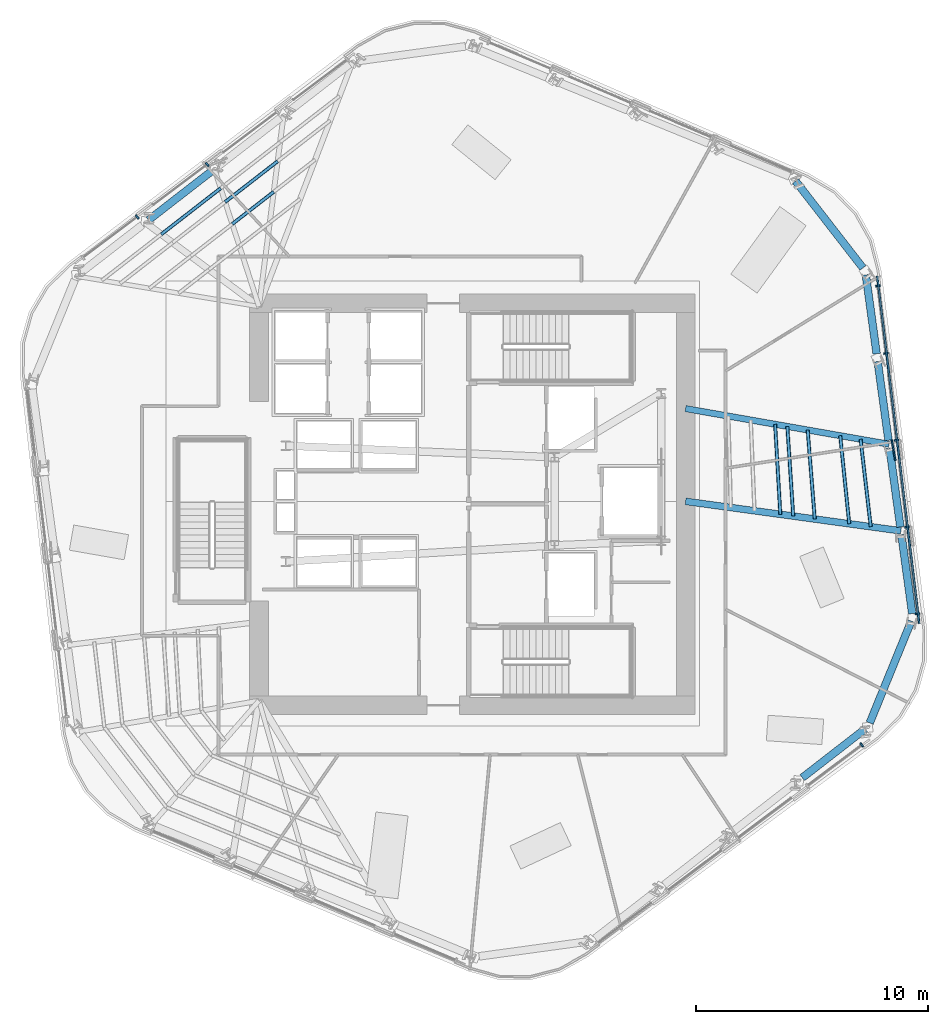
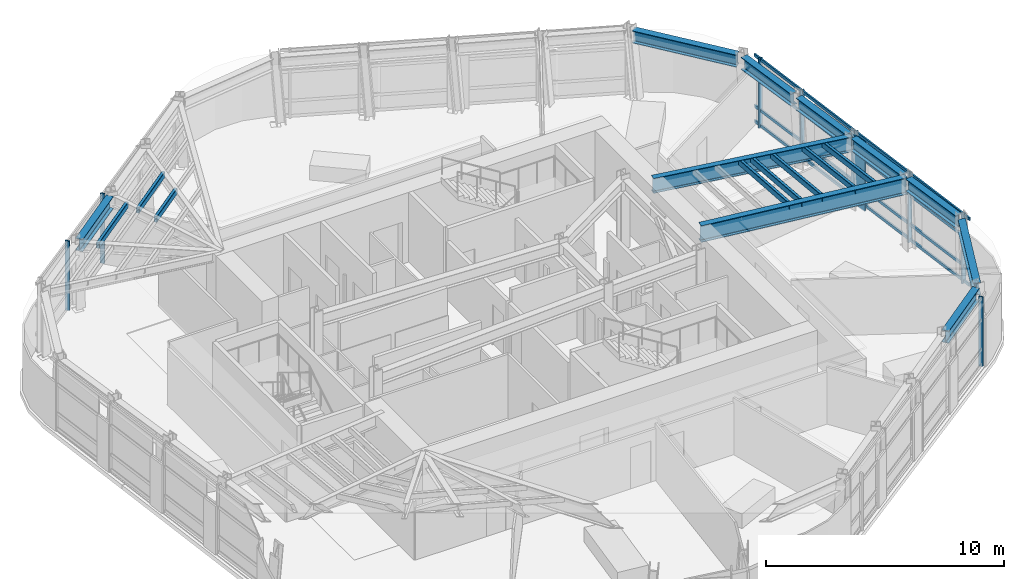
# One storey, part 5 of 14: 21 members, 10 beams, 3 elements without a shape of their own.
"""IFC4 building model written with IfcOpenShell, lengths in metres."""

from ifc_helpers import new_model, si_unit, direction, frame, origin, origin_2d, place, context, subcontext, project, spatial, rectangle, hollow_rectangle, i_section, extrude, material, layer, layer_set, material_profile, profile_set, type_object, element, aggregate, save


model = new_model("IFC4")

# Units and contexts
model_context = context("Model", 3, precision=1e-05, world=origin(), true_north=direction((0.0, 1.0)))
body_context = subcontext(model_context, "Body", "Model", "MODEL_VIEW")
ifc_project = project(units=[si_unit("LENGTHUNIT", "METRE"), si_unit("AREAUNIT", "SQUARE_METRE"), si_unit("VOLUMEUNIT", "CUBIC_METRE"), si_unit("PLANEANGLEUNIT", "RADIAN"), si_unit("MASSUNIT", "GRAM", prefix="KILO")], contexts=[model_context])

# Site, building, storey
site_placement = place(None, origin())
site = spatial("IfcSite", under=ifc_project, at=site_placement, CompositionType="ELEMENT")
building_placement = place(site_placement, origin())
building = spatial("IfcBuilding", under=site, at=building_placement, Name="Valkerne Bourse Tower", CompositionType="ELEMENT")
storey_placement = place(building_placement, frame((0.0, 0.0, 181.800048828125)))
storey = spatial("IfcBuildingStorey", under=building, at=storey_placement, Name="L46", CompositionType="ELEMENT", Elevation=181.800048828125)

# Beams
ifc_material_1 = material(Name="Steel ASTM A992", Category="steel")
ifc_material_profile_1 = material_profile(ifc_material_1, i_section(OverallWidth=0.32763671875, OverallDepth=0.62744140625, WebThickness=0.0166015625, FlangeThickness=0.027587890625, FilletRadius=0.020263671875, at=origin_2d()), Name="W24X146")
ifc_profile_set_1 = profile_set([ifc_material_profile_1], Name="Steel ASTM A992")
beam_type_1 = type_object("IfcBeamType", Name="BM-W24X146", PredefinedType="SPANDREL", material=ifc_profile_set_1)
beam_1_placement = place(storey_placement, frame((35.545654296875, 41.231689453125, 3.266357421875), z_axis=(-0.790186748156, -0.612866137944, 0.0), x_axis=(0.612866137944, -0.790186748156, 0.0)))
element("IfcBeam", 1, at=beam_1_placement, inside=storey, type_object=beam_type_1, Name="L46 Hexagonal Spandrel Ring Beam 07", PredefinedType="SPANDREL", context=body_context, shape_type="SweptSolid", body=[
    extrude(i_section(OverallWidth=0.32763671875, OverallDepth=0.62744140625, WebThickness=0.0166015625, FlangeThickness=0.027587890625, FilletRadius=0.020263671875, at=origin_2d()), origin(), (0.0, 0.0, 1.0), 3.43115234375),
])
beam_2_placement = place(storey_placement, frame((61.0341796875, 15.07958984375, 3.266357421875), z_axis=(0.790160019381, 0.612900598606, 0.0), x_axis=(-0.612900598606, 0.790160019381, 0.0)))
element("IfcBeam", 2, at=beam_2_placement, inside=storey, type_object=beam_type_1, Name="L46 Hexagonal Spandrel Ring Beam 23", PredefinedType="SPANDREL", context=body_context, shape_type="SweptSolid", body=[
    extrude(i_section(OverallWidth=0.32763671875, OverallDepth=0.62744140625, WebThickness=0.0166015625, FlangeThickness=0.027587890625, FilletRadius=0.020263671875, at=origin_2d()), origin(), (0.0, 0.0, 1.0), 3.430908203125),
])
beam_3_placement = place(storey_placement, frame((63.943603515625, 17.444091796875, 3.266357421875), z_axis=(0.377846539203, 0.925868237284, 0.0), x_axis=(-0.925868237284, 0.377846539203, 0.0)))
element("IfcBeam", 3, at=beam_3_placement, inside=storey, type_object=beam_type_1, Name="L46 Hexagonal Spandrel Ring Beam 24", PredefinedType="SPANDREL", context=body_context, shape_type="SweptSolid", body=[
    extrude(i_section(OverallWidth=0.32763671875, OverallDepth=0.62744140625, WebThickness=0.0166015625, FlangeThickness=0.027587890625, FilletRadius=0.020263671875, at=origin_2d()), origin(), (0.0, 0.0, 1.0), 4.739990234375),
])
for number, where, z_axis, x_axis, name in (
    (4, (65.77587890625, 22.158447265625, 3.266357421875), (-0.13569107516, 0.990751195872, 0.0), (-0.990751195872, -0.13569107516, 0.0), "L46 Hexagonal Spandrel Ring Beam 25"),
    (5, (65.26416015625, 25.89453125, 3.266357421875), (-0.13569107516, 0.990751195872, 0.0), (-0.990751195872, -0.13569107516, 0.0), "L46 Hexagonal Spandrel Ring Beam 26"),
    (6, (64.752197265625, 29.630615234375, 3.266357421875), (-0.13569107516, 0.990751195872, 0.0), (-0.990751195872, -0.13569107516, 0.0), "L46 Hexagonal Spandrel Ring Beam 27"),
    (7, (64.240478515625, 33.36669921875, 3.266357421875), (-0.13569107516, 0.990751195872, 0.0), (-0.990751195872, -0.13569107516, 0.0), "L46 Hexagonal Spandrel Ring Beam 28"),
):
    element("IfcBeam", number, at=place(storey_placement, frame(where, z_axis=z_axis, x_axis=x_axis)), inside=storey, type_object=beam_type_1, Name=name, PredefinedType="SPANDREL", context=body_context, shape_type="SweptSolid", body=[
        extrude(i_section(OverallWidth=0.32763671875, OverallDepth=0.62744140625, WebThickness=0.0166015625, FlangeThickness=0.027587890625, FilletRadius=0.020263671875, at=origin_2d()), origin(), (0.0, 0.0, 1.0), 3.43115234375),
    ])
beam_4_placement = place(storey_placement, frame((63.647705078125, 37.06884765625, 3.266357421875), z_axis=(-0.612916720756, 0.790147513707, 0.0), x_axis=(-0.790147513707, -0.612916720756, 0.0)))
element("IfcBeam", 8, at=beam_4_placement, inside=storey, type_object=beam_type_1, Name="L46 Hexagonal Spandrel Ring Beam 29", PredefinedType="SPANDREL", context=body_context, shape_type="SweptSolid", body=[
    extrude(i_section(OverallWidth=0.32763671875, OverallDepth=0.62744140625, WebThickness=0.0166015625, FlangeThickness=0.027587890625, FilletRadius=0.020263671875, at=origin_2d()), origin(), (0.0, 0.0, 1.0), 4.739990234375),
])
ifc_material_profile_2 = material_profile(ifc_material_1, i_section(OverallWidth=0.26806640625, OverallDepth=0.76953125, WebThickness=0.015625, FlangeThickness=0.025390625, FilletRadius=0.025390625, at=origin_2d()), Name="W30X132")
ifc_profile_set_2 = profile_set([ifc_material_profile_2], Name="Steel ASTM A992")
beam_type_2 = type_object("IfcBeamType", Name="BM-W30X132", PredefinedType="BEAM", material=ifc_profile_set_2)
beam_5_placement = place(storey_placement, frame((64.775390625, 29.46240234375, 3.195068359375), z_axis=(-0.984994150955, 0.172587724313, 0.0), x_axis=(-0.172587724313, -0.984994150955, 0.0)))
element("IfcBeam", 9, at=beam_5_placement, inside=storey, type_object=beam_type_2, Name="L46 Radial Composite Floor Beam 27", PredefinedType="BEAM", context=body_context, shape_type="SweptSolid", body=[
    extrude(i_section(OverallWidth=0.26806640625, OverallDepth=0.76953125, WebThickness=0.015625, FlangeThickness=0.025390625, FilletRadius=0.025390625, at=origin_2d()), origin(), (0.0, 0.0, 1.0), 8.9091796875),
])
ifc_material_profile_3 = material_profile(ifc_material_1, i_section(OverallWidth=0.2919921875, OverallDepth=0.8583984375, WebThickness=0.01708984375, FlangeThickness=0.031005859375, FilletRadius=0.025390625, at=origin_2d()), Name="W33X169")
ifc_profile_set_3 = profile_set([ifc_material_profile_3], Name="Steel ASTM A992")
beam_type_3 = type_object("IfcBeamType", Name="BM-W33X169", PredefinedType="BEAM", material=ifc_profile_set_3)
beam_6_placement = place(storey_placement, frame((65.287109375, 25.726318359375, 3.150634765625), z_axis=(-0.990726227472, 0.135873257853, 0.0), x_axis=(-0.135873257853, -0.990726227472, 0.0)))
element("IfcBeam", 10, at=beam_6_placement, inside=storey, type_object=beam_type_3, Name="L46 Radial Composite Floor Beam 26", PredefinedType="BEAM", context=body_context, shape_type="SweptSolid", body=[
    extrude(i_section(OverallWidth=0.2919921875, OverallDepth=0.8583984375, WebThickness=0.01708984375, FlangeThickness=0.031005859375, FilletRadius=0.025390625, at=origin_2d()), origin(), (0.0, 0.0, 1.0), 9.3740234375),
])

# Curtain wall, members
ifc_material_2 = material(Name="Aluminium AA 6063-T6", Category="aluminium")
ifc_layer = layer(ifc_material_2, 0.235107421875)
ifc_layer_set = layer_set([ifc_layer], Name="Aluminium AA 6063-T6")
curtain_wall_type = type_object("IfcCurtainWallType", Name="CW-03", PredefinedType="NOTDEFINED", material=ifc_layer_set)
curtain_wall_1_placement = place(storey_placement, origin())
curtain_wall_1 = element("IfcCurtainWall", 11, at=curtain_wall_1_placement, inside=storey, type_object=curtain_wall_type, Name="L46 Hexagonal Stick Curtain Wall Face 2", PredefinedType="NOTDEFINED")
ifc_material_profile_4 = material_profile(ifc_material_2, rectangle(XDim=0.074951171875, YDim=0.199951171875, at=origin_2d()), Name="CWM-75X200")
ifc_profile_set_4 = profile_set([ifc_material_profile_4], Name="Aluminium AA 6063-T6")
member_type_1 = type_object("IfcMemberType", Name="CW-MUL-220X75", PredefinedType="MULLION", material=ifc_profile_set_4)
member_1_placement = place(storey_placement, frame((35.366455078125, 41.528564453125, 0.0), z_axis=(0.0, 0.0, 1.0), x_axis=(-0.799681669547, -0.600424206199, 0.0)))
member_1 = element("IfcMember", 12, at=member_1_placement, type_object=member_type_1, Name="CW-L46-F2 Jamb Mullion 02A", PredefinedType="MULLION", context=body_context, shape_type="SweptSolid", body=[
    extrude(rectangle(XDim=0.074951171875, YDim=0.199951171875, at=origin_2d()), origin(), (0.0, 0.0, 1.0), 3.579833984375),
])
member_2_placement = place(storey_placement, frame((32.350830078125, 39.264404296875, 0.0), z_axis=(0.0, 0.0, 1.0), x_axis=(-0.799681669547, -0.600424206199, 0.0)))
member_2 = element("IfcMember", 13, at=member_2_placement, type_object=member_type_1, Name="CW-L46-F2 Jamb Mullion 03A", PredefinedType="MULLION", context=body_context, shape_type="SweptSolid", body=[
    extrude(rectangle(XDim=0.074951171875, YDim=0.199951171875, at=origin_2d()), origin(), (0.0, 0.0, 1.0), 3.579833984375),
])
aggregate(curtain_wall_1, [member_1, member_2])

# Curtain wall, member
curtain_wall_2_placement = place(storey_placement, origin())
curtain_wall_2 = element("IfcCurtainWall", 14, at=curtain_wall_2_placement, inside=storey, type_object=curtain_wall_type, Name="L46 Hexagonal Stick Curtain Wall Face 5", PredefinedType="NOTDEFINED")
member_3_placement = place(storey_placement, frame((63.593017578125, 16.495361328125, 0.0), z_axis=(0.0, 0.0, 1.0), x_axis=(0.799681669547, 0.600424206199, 0.0)))
member_3 = element("IfcMember", 15, at=member_3_placement, type_object=member_type_1, Name="CW-L46-F5 Jamb Mullion 03B", PredefinedType="MULLION", context=body_context, shape_type="SweptSolid", body=[
    extrude(rectangle(XDim=0.074951171875, YDim=0.199951171875, at=origin_2d()), origin(), (0.0, 0.0, 1.0), 3.579833984375),
])
aggregate(curtain_wall_2, [member_3])

# Curtain wall, members
curtain_wall_3_placement = place(storey_placement, origin())
curtain_wall_3 = element("IfcCurtainWall", 16, at=curtain_wall_3_placement, inside=storey, type_object=curtain_wall_type, Name="L46 Hexagonal Stick Curtain Wall Face 6", PredefinedType="NOTDEFINED")
member_4_placement = place(storey_placement, frame((66.0048828125, 22.150146484375, 0.0), z_axis=(0.0, 0.0, 1.0), x_axis=(-0.120127043525, 0.992758527243, 0.0)))
member_4 = element("IfcMember", 17, at=member_4_placement, type_object=member_type_1, Name="CW-L46-F6 Jamb Mullion 00A", PredefinedType="MULLION", context=body_context, shape_type="SweptSolid", body=[
    extrude(rectangle(XDim=0.074951171875, YDim=0.199951171875, at=origin_2d()), origin(), (0.0, 0.0, 1.0), 3.579833984375),
])
member_5_placement = place(storey_placement, frame((65.552001953125, 25.893798828125, 0.0), z_axis=(0.0, 0.0, 1.0), x_axis=(-0.120153178833, 0.992755364436, 0.0)))
member_5 = element("IfcMember", 18, at=member_5_placement, type_object=member_type_1, Name="CW-L46-F6 Jamb Mullion 01A", PredefinedType="MULLION", context=body_context, shape_type="SweptSolid", body=[
    extrude(rectangle(XDim=0.074951171875, YDim=0.199951171875, at=origin_2d()), origin(), (0.0, 0.0, 1.0), 3.579833984375),
])
member_6_placement = place(storey_placement, frame((65.098876953125, 29.637451171875, 0.0), z_axis=(0.0, 0.0, 1.0), x_axis=(-0.120127043525, 0.992758527243, 0.0)))
member_6 = element("IfcMember", 19, at=member_6_placement, type_object=member_type_1, Name="CW-L46-F6 Jamb Mullion 02A", PredefinedType="MULLION", context=body_context, shape_type="SweptSolid", body=[
    extrude(rectangle(XDim=0.074951171875, YDim=0.199951171875, at=origin_2d()), origin(), (0.0, 0.0, 1.0), 3.579833984375),
])
member_7_placement = place(storey_placement, frame((64.64599609375, 33.381103515625, 0.0), z_axis=(0.0, 0.0, 1.0), x_axis=(-0.120130206083, 0.992758144558, 0.0)))
member_7 = element("IfcMember", 20, at=member_7_placement, type_object=member_type_1, Name="CW-L46-F6 Jamb Mullion 03A", PredefinedType="MULLION", context=body_context, shape_type="SweptSolid", body=[
    extrude(rectangle(XDim=0.074951171875, YDim=0.199951171875, at=origin_2d()), origin(), (0.0, 0.0, 1.0), 3.579833984375),
])
member_8_placement = place(storey_placement, frame((64.293701171875, 36.291015625, 0.0), z_axis=(0.0, 0.0, 1.0), x_axis=(-0.120130206083, 0.992758144558, 0.0)))
member_8 = element("IfcMember", 21, at=member_8_placement, type_object=member_type_1, Name="CW-L46-F6 Jamb Mullion 03B", PredefinedType="MULLION", context=body_context, shape_type="SweptSolid", body=[
    extrude(rectangle(XDim=0.074951171875, YDim=0.199951171875, at=origin_2d()), origin(), (0.0, 0.0, 1.0), 3.579833984375),
])
ifc_material_profile_5 = material_profile(ifc_material_2, rectangle(XDim=0.074951171875, YDim=0.14990234375, at=origin_2d()), Name="CWT-75X150")
ifc_profile_set_5 = profile_set([ifc_material_profile_5], Name="Aluminium AA 6063-T6")
member_type_2 = type_object("IfcMemberType", Name="CW-TRN-180X65", PredefinedType="USERDEFINED", material=ifc_profile_set_5)
member_9_placement = place(storey_placement, frame((66.0751953125, 21.735595703125, 0.119873046875), z_axis=(-0.120129316355, 0.992758252221, 0.0), x_axis=(-0.992758252221, -0.120129316355, 0.0)))
member_9 = element("IfcMember", 22, at=member_9_placement, type_object=member_type_2, Name="CW-L46-F6 Continuous Face Transom 1", ObjectType="TRANSOM", PredefinedType="USERDEFINED", context=body_context, shape_type="SweptSolid", body=[
    extrude(rectangle(XDim=0.074951171875, YDim=0.14990234375, at=origin_2d()), origin(), (0.0, 0.0, 1.0), 15.083740234375),
])
member_10_placement = place(storey_placement, frame((66.0751953125, 21.735595703125, 0.89990234375), z_axis=(-0.120129316355, 0.992758252221, 0.0), x_axis=(-0.992758252221, -0.120129316355, 0.0)))
member_10 = element("IfcMember", 23, at=member_10_placement, type_object=member_type_2, Name="CW-L46-F6 Continuous Face Transom 2", ObjectType="TRANSOM", PredefinedType="USERDEFINED", context=body_context, shape_type="SweptSolid", body=[
    extrude(rectangle(XDim=0.074951171875, YDim=0.14990234375, at=origin_2d()), origin(), (0.0, 0.0, 1.0), 15.083740234375),
])
member_11_placement = place(storey_placement, frame((66.0751953125, 21.735595703125, 2.39990234375), z_axis=(-0.120129316355, 0.992758252221, 0.0), x_axis=(-0.992758252221, -0.120129316355, 0.0)))
member_11 = element("IfcMember", 24, at=member_11_placement, type_object=member_type_2, Name="CW-L46-F6 Continuous Face Transom 3", ObjectType="TRANSOM", PredefinedType="USERDEFINED", context=body_context, shape_type="SweptSolid", body=[
    extrude(rectangle(XDim=0.074951171875, YDim=0.14990234375, at=origin_2d()), origin(), (0.0, 0.0, 1.0), 15.083740234375),
])
member_12_placement = place(storey_placement, frame((66.0751953125, 21.735595703125, 3.5), z_axis=(-0.120129316355, 0.992758252221, 0.0), x_axis=(-0.992758252221, -0.120129316355, 0.0)))
member_12 = element("IfcMember", 25, at=member_12_placement, type_object=member_type_2, Name="CW-L46-F6 Continuous Face Transom 4", ObjectType="TRANSOM", PredefinedType="USERDEFINED", context=body_context, shape_type="SweptSolid", body=[
    extrude(rectangle(XDim=0.074951171875, YDim=0.14990234375, at=origin_2d()), origin(), (0.0, 0.0, 1.0), 15.083740234375),
])
aggregate(curtain_wall_3, [member_9, member_10, member_11, member_12, member_4, member_5, member_6, member_7, member_8])

# Members
ifc_material_3 = material(Name="Bronze Anodised Aluminium AA 6063-T6", Category="aluminium")
ifc_material_profile_6 = material_profile(ifc_material_3, rectangle(XDim=0.070068359375, YDim=0.89990234375, at=origin_2d()), Name="FIN-70X900")
ifc_profile_set_6 = profile_set([ifc_material_profile_6], Name="Bronze Anodised Aluminium AA 6063-T6")
member_type_3 = type_object("IfcMemberType", Name="FIN-SOLAR-900", PredefinedType="USERDEFINED", material=ifc_profile_set_6)
member_13_placement = place(storey_placement, frame((64.970703125, 29.198974609375, 0.00390625), z_axis=(0.0, 0.0, 1.0), x_axis=(0.983853257511, 0.178977003228, 0.0)))
element("IfcMember", 26, at=member_13_placement, inside=storey, type_object=member_type_3, Name="L46 Bronze Anodised Solar Fin F6-02", ObjectType="SOLAR_FIN", PredefinedType="USERDEFINED", context=body_context, shape_type="SweptSolid", body=[
    extrude(rectangle(XDim=0.070068359375, YDim=0.89990234375, at=origin_2d()), origin(), (0.0, 0.0, 1.0), 3.572021484375),
])
ifc_material_4 = material(Name="Steel ASTM A500 Grade C", Category="steel")
ifc_material_profile_7 = material_profile(ifc_material_4, hollow_rectangle(XDim=0.14990234375, YDim=0.300048828125, WallThickness=0.012451171875, OuterFilletRadius=0.02490234375, at=origin_2d()), Name="HSS300X150X12.5")
ifc_profile_set_7 = profile_set([ifc_material_profile_7], Name="Steel ASTM A500 Grade C")
member_type_4 = type_object("IfcMemberType", Name="MBR-HSS300X150X12.5", PredefinedType="PURLIN", material=ifc_profile_set_7)
member_14_placement = place(storey_placement, frame((60.08642578125, 26.439453125, 3.419921875), z_axis=(-0.057920075999, 0.998321223252, 0.0), x_axis=(-0.998321223252, -0.057920075999, 0.0)))
element("IfcMember", 27, at=member_14_placement, inside=storey, type_object=member_type_4, Name="L46 Secondary Composite Floor Purlin K-26", PredefinedType="PURLIN", context=body_context, shape_type="SweptSolid", body=[
    extrude(hollow_rectangle(XDim=0.14990234375, YDim=0.300048828125, WallThickness=0.012451171875, OuterFilletRadius=0.02490234375, at=origin_2d()), origin(), (0.0, 0.0, 1.0), 3.890625),
])
member_15_placement = place(storey_placement, frame((60.6435546875, 26.363037109375, 3.419921875), z_axis=(-0.066000689038, 0.997819577402, 0.0), x_axis=(-0.997819577402, -0.066000689038, 0.0)))
element("IfcMember", 28, at=member_15_placement, inside=storey, type_object=member_type_4, Name="L46 Secondary Composite Floor Purlin M-26", PredefinedType="PURLIN", context=body_context, shape_type="SweptSolid", body=[
    extrude(hollow_rectangle(XDim=0.14990234375, YDim=0.300048828125, WallThickness=0.012451171875, OuterFilletRadius=0.02490234375, at=origin_2d()), origin(), (0.0, 0.0, 1.0), 3.876708984375),
])
member_16_placement = place(storey_placement, frame((38.4052734375, 41.66796875, 3.419921875), z_axis=(-0.790163392767, -0.612896249565, 0.0), x_axis=(0.612896249565, -0.790163392767, 0.0)))
element("IfcMember", 29, at=member_16_placement, inside=storey, type_object=member_type_4, Name="L46 Secondary Composite Floor Purlin O-06", PredefinedType="PURLIN", context=body_context, shape_type="SweptSolid", body=[
    extrude(hollow_rectangle(XDim=0.14990234375, YDim=0.300048828125, WallThickness=0.012451171875, OuterFilletRadius=0.02490234375, at=origin_2d()), origin(), (0.0, 0.0, 1.0), 2.865966796875),
])
member_17_placement = place(storey_placement, frame((63.058349609375, 26.031982421875, 3.419921875), z_axis=(-0.101895858105, 0.99479507141, 0.0), x_axis=(-0.99479507141, -0.101895858105, 0.0)))
element("IfcMember", 30, at=member_17_placement, inside=storey, type_object=member_type_4, Name="L46 Secondary Composite Floor Purlin O-26", PredefinedType="PURLIN", context=body_context, shape_type="SweptSolid", body=[
    extrude(hollow_rectangle(XDim=0.14990234375, YDim=0.300048828125, WallThickness=0.012451171875, OuterFilletRadius=0.02490234375, at=origin_2d()), origin(), (0.0, 0.0, 1.0), 3.819091796875),
])
member_18_placement = place(storey_placement, frame((38.23583984375, 40.348388671875, 3.419921875), z_axis=(-0.790170744373, -0.612886771547, 0.0), x_axis=(0.612886771547, -0.790170744373, 0.0)))
element("IfcMember", 31, at=member_18_placement, inside=storey, type_object=member_type_4, Name="L46 Secondary Composite Floor Purlin Z-06", PredefinedType="PURLIN", context=body_context, shape_type="SweptSolid", body=[
    extrude(hollow_rectangle(XDim=0.14990234375, YDim=0.300048828125, WallThickness=0.012451171875, OuterFilletRadius=0.02490234375, at=origin_2d()), origin(), (0.0, 0.0, 1.0), 2.2626953125),
])
member_19_placement = place(storey_placement, frame((61.572265625, 26.235595703125, 3.419921875), z_axis=(-0.079689831784, 0.996819708227, 0.0), x_axis=(-0.996819708227, -0.079689831784, 0.0)))
element("IfcMember", 32, at=member_19_placement, inside=storey, type_object=member_type_4, Name="L46 Secondary Composite Floor Purlin Z-26", PredefinedType="PURLIN", context=body_context, shape_type="SweptSolid", body=[
    extrude(hollow_rectangle(XDim=0.14990234375, YDim=0.300048828125, WallThickness=0.012451171875, OuterFilletRadius=0.02490234375, at=origin_2d()), origin(), (0.0, 0.0, 1.0), 3.85400390625),
])
member_20_placement = place(storey_placement, frame((35.94873046875, 40.5048828125, 3.419921875), z_axis=(-0.790137955388, -0.612929042757, 0.0), x_axis=(0.612929042757, -0.790137955388, 0.0)))
element("IfcMember", 33, at=member_20_placement, inside=storey, type_object=member_type_4, Name="L46 Secondary Composite Floor Purlin T-07", PredefinedType="PURLIN", context=body_context, shape_type="SweptSolid", body=[
    extrude(hollow_rectangle(XDim=0.14990234375, YDim=0.300048828125, WallThickness=0.012451171875, OuterFilletRadius=0.02490234375, at=origin_2d()), origin(), (0.0, 0.0, 1.0), 3.2431640625),
])
member_21_placement = place(storey_placement, frame((63.987060546875, 25.904541015625, 3.419921875), z_axis=(-0.115882813198, 0.993262892494, 0.0), x_axis=(-0.993262892494, -0.115882813198, 0.0)))
element("IfcMember", 34, at=member_21_placement, inside=storey, type_object=member_type_4, Name="L46 Secondary Composite Floor Purlin T-26", PredefinedType="PURLIN", context=body_context, shape_type="SweptSolid", body=[
    extrude(hollow_rectangle(XDim=0.14990234375, YDim=0.300048828125, WallThickness=0.012451171875, OuterFilletRadius=0.02490234375, at=origin_2d()), origin(), (0.0, 0.0, 1.0), 3.798583984375),
])

save(model, "model.ifc")
